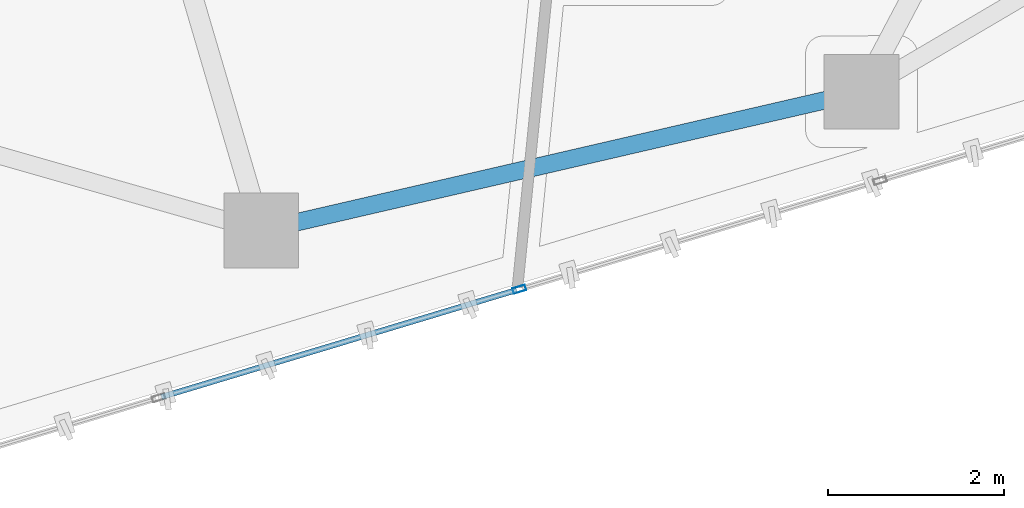
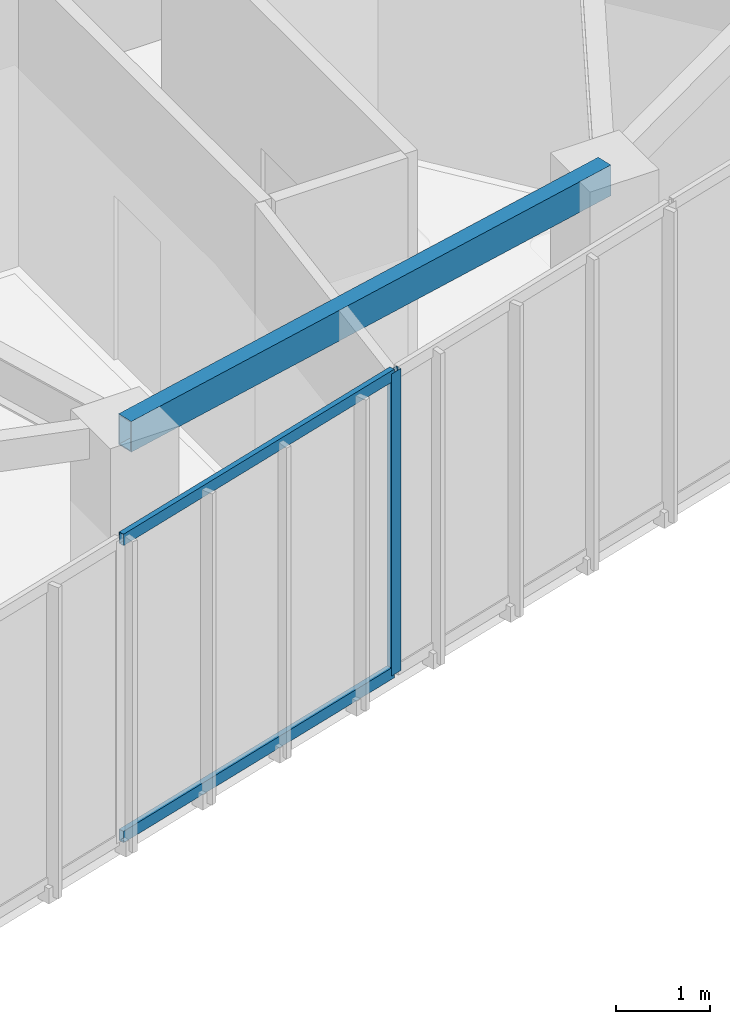
# One storey, part 3 of 20: 3 members, 1 beam, 1 element without a shape of its own.
"""IFC4 building model written with IfcOpenShell, lengths in metres."""

from ifc_helpers import new_model, si_unit, direction, frame, origin, origin_2d, place, context, subcontext, project, spatial, hollow_rectangle, extrude, source, transform, mapped, material, layer, layer_set, material_profile, profile_set, type_object, type_shapes, element, aggregate, save


model = new_model("IFC4")

# Units and contexts
model_context = context("Model", 3, precision=1e-05, world=origin(), true_north=direction((0.0, 1.0)))
body_context = subcontext(model_context, "Body", "Model", "MODEL_VIEW")
ifc_project = project(units=[si_unit("LENGTHUNIT", "METRE"), si_unit("AREAUNIT", "SQUARE_METRE"), si_unit("VOLUMEUNIT", "CUBIC_METRE"), si_unit("PLANEANGLEUNIT", "RADIAN"), si_unit("MASSUNIT", "GRAM", prefix="KILO")], contexts=[model_context])

# Site, building, storey
site_placement = place(None, origin())
site = spatial("IfcSite", under=ifc_project, at=site_placement, CompositionType="ELEMENT")
building_placement = place(site_placement, origin())
building = spatial("IfcBuilding", under=site, at=building_placement, Name="Talar Marvaseh", CompositionType="ELEMENT")
storey_placement = place(building_placement, frame((0.0, 0.0, 291.800048828125)))
storey = spatial("IfcBuildingStorey", under=building, at=storey_placement, Name="L78", CompositionType="ELEMENT", Elevation=291.800048828125)

# Beam
ifc_material_1 = material(Name="Steel S355", Category="steel")
ifc_material_profile_1 = material_profile(ifc_material_1, hollow_rectangle(XDim=0.199951171875, YDim=0.39990234375, WallThickness=0.013916015625, at=origin_2d()), Name="RHS400x200x14")
ifc_profile_set_1 = profile_set([ifc_material_profile_1], Name="Steel S355")
beam_type = type_object("IfcBeamType", Name="Zone 3 Perimeter Spandrel Beam RHS400x200x14", PredefinedType="SPANDREL", material=ifc_profile_set_1)
beam_placement = place(storey_placement, frame((28.60498046875, 16.616943359375, 3.739990234375), z_axis=(-0.974361245946, -0.22498924952, 0.0), x_axis=(0.22498924952, -0.974361245946, 0.0)))
element("IfcBeam", 1, at=beam_placement, inside=storey, type_object=beam_type, Name="L78 Zone 3 Perimeter Spandrel Beam RHS400x200x14", PredefinedType="SPANDREL", context=body_context, shape_type="SweptSolid", body=[
    extrude(hollow_rectangle(XDim=0.199951171875, YDim=0.39990234375, WallThickness=0.013916015625, at=origin_2d()), origin(), (0.0, 0.0, 1.0), 7.0087890625),
])

# Curtain wall, members
ifc_material_2 = material(Name="Architectural Aluminium", Category="aluminium")
ifc_layer = layer(ifc_material_2, 0.239990234375)
ifc_layer_set = layer_set([ifc_layer], Name="Architectural Aluminium")
curtain_wall_type = type_object("IfcCurtainWallType", Name="Observation Sky Gallery Structural Glass Wall", PredefinedType="NOTDEFINED", material=ifc_layer_set)
curtain_wall_placement = place(storey_placement, origin())
curtain_wall = element("IfcCurtainWall", 2, at=curtain_wall_placement, inside=storey, type_object=curtain_wall_type, Name="L78 Observation Sky Gallery Structural Glass Wall", PredefinedType="NOTDEFINED")
ifc_material_profile_2 = material_profile(ifc_material_2, hollow_rectangle(XDim=0.06494140625, YDim=0.14990234375, WallThickness=0.00390625, at=origin_2d()), Name="RHS150x65x4")
ifc_profile_set_2 = profile_set([ifc_material_profile_2], Name="Architectural Aluminium")
member_type_1 = type_object("IfcMemberType", Name="Unitised Curtain Wall Slim Transom RHS150x65x4", PredefinedType="USERDEFINED", material=ifc_profile_set_2)
shared_shape_1 = source(origin(), body_context, "Body", "SweptSolid", [
    extrude(hollow_rectangle(XDim=0.06494140625, YDim=0.14990234375, WallThickness=0.00390625, at=origin_2d()), origin(), (0.0, 0.0, 1.0), 4.22119140625),
])
type_shapes(member_type_1, [shared_shape_1])
member_1_placement = place(storey_placement, frame((24.680419921875, 14.361572265625, 0.032470703125), z_axis=(-0.957536086801, -0.288313444836, 0.0), x_axis=(0.288313444836, -0.957536086801, 0.0)))
member_1 = element("IfcMember", 3, at=member_1_placement, type_object=member_type_1, Name="CW-OBS transom 3.1", ObjectType="TRANSOM", PredefinedType="USERDEFINED", context=body_context, shape_type="MappedRepresentation", body=[
    mapped(shared_shape_1, transform((0.0, 0.0, 0.0), x_axis=(1.0, 0.0, 0.0), y_axis=(0.0, 1.0, 0.0), z_axis=(0.0, 0.0, 1.0), scale=1.0)),
])
member_2_placement = place(storey_placement, frame((24.680419921875, 14.361572265625, 3.907470703125), z_axis=(-0.957536086801, -0.288313444836, 0.0), x_axis=(0.288313444836, -0.957536086801, 0.0)))
member_2 = element("IfcMember", 4, at=member_2_placement, type_object=member_type_1, Name="CW-OBS transom 3.2", ObjectType="TRANSOM", PredefinedType="USERDEFINED", context=body_context, shape_type="MappedRepresentation", body=[
    mapped(shared_shape_1, transform((0.0, 0.0, 0.0), x_axis=(1.0, 0.0, 0.0), y_axis=(0.0, 1.0, 0.0), z_axis=(0.0, 0.0, 1.0), scale=1.0)),
])
ifc_material_profile_3 = material_profile(ifc_material_2, hollow_rectangle(XDim=0.06494140625, YDim=0.14990234375, WallThickness=0.00390625, at=origin_2d()), Name="RHS150x65x4")
ifc_profile_set_3 = profile_set([ifc_material_profile_3], Name="Architectural Aluminium")
member_type_2 = type_object("IfcMemberType", Name="Unitised Curtain Wall Slim Mullion RHS150x65x4", PredefinedType="MULLION", material=ifc_profile_set_3)
shared_shape_2 = source(origin(), body_context, "Body", "SweptSolid", [
    extrude(hollow_rectangle(XDim=0.06494140625, YDim=0.14990234375, WallThickness=0.00390625, at=origin_2d()), origin(), (0.0, 0.0, 1.0), 3.93994140625),
])
type_shapes(member_type_2, [shared_shape_2])
member_3_placement = place(storey_placement, frame((24.711669921875, 14.37109375, 0.0), z_axis=(0.0, 0.0, 1.0), x_axis=(0.288346227677, -0.957526215299, 0.0)))
member_3 = element("IfcMember", 5, at=member_3_placement, type_object=member_type_2, Name="CW-OBS mullion 3", PredefinedType="MULLION", context=body_context, shape_type="MappedRepresentation", body=[
    mapped(shared_shape_2, transform((0.0, 0.0, 0.0), x_axis=(1.0, 0.0, 0.0), y_axis=(0.0, 1.0, 0.0), z_axis=(0.0, 0.0, 1.0), scale=1.0)),
])
aggregate(curtain_wall, [member_3, member_1, member_2])

save(model, "model.ifc")
